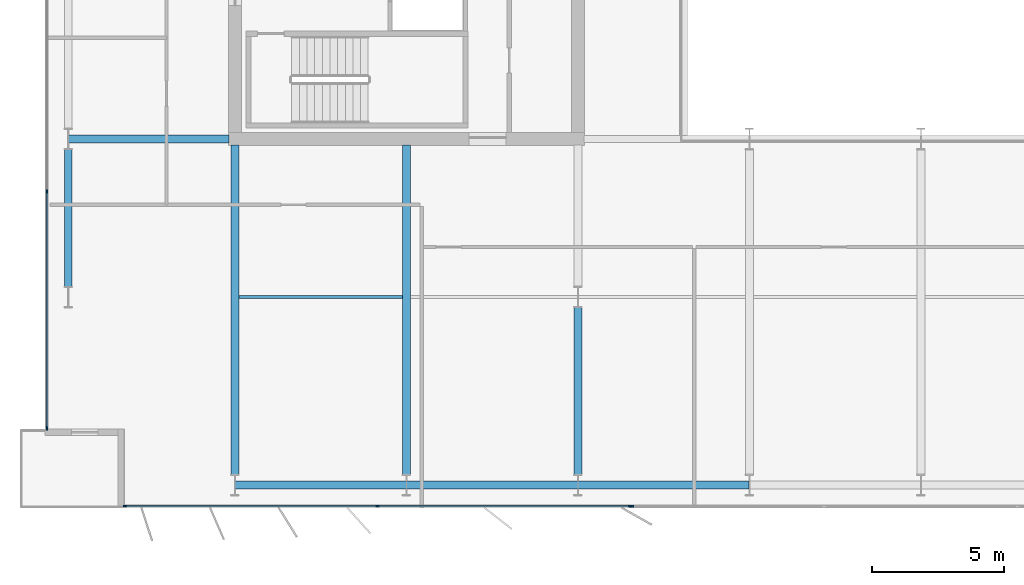
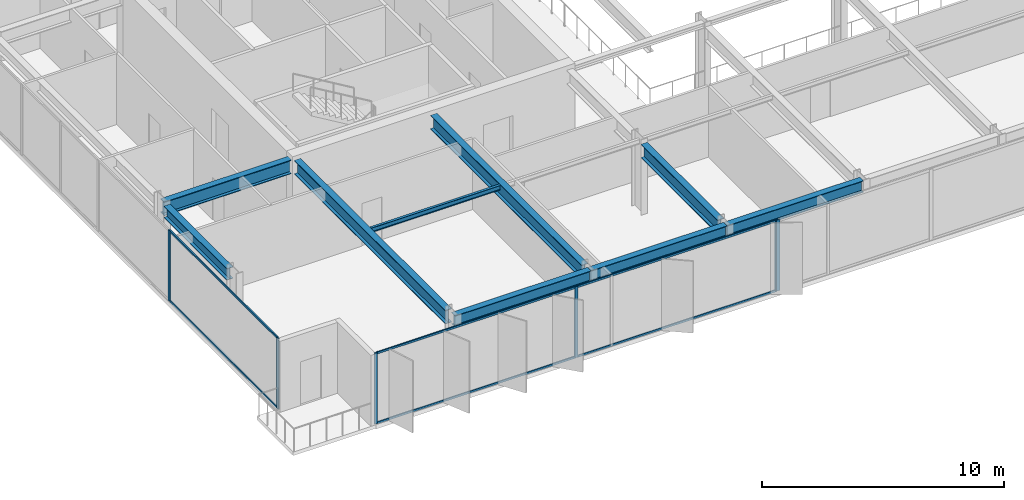
# One storey, part 3 of 23: 12 members, 9 beams, 3 elements without a shape of their own.
"""IFC4 building model written with IfcOpenShell, lengths in metres."""

import ifcopenshell
import ifcopenshell.guid

model = None  # the IFC model being written
_history = None  # IfcOwnerHistory: only IFC2X3 demands one
_inside = {}  # id of a spatial element -> (the spatial element, [elements in it])
_under = {}  # id of a project, library or spatial element -> (it, [spatial elements below it])
_declared = {}  # id of a project -> (the project, [libraries it declares])
_typed = {}  # id of a type object -> (the type object, [elements of that type])
_made_of = {}  # id of a material, layer set ... -> (it, [elements and type objects made of it])


def new_model(schema):
    """Start an empty IFC model of exactly this schema.

    Asked for "IFC4X3", IfcOpenShell would pick the latest addendum, in which some entities
    have other attributes; the version numbers below select the first issue.
    IFC2X3 requires an IfcOwnerHistory on every rooted entity: one is made here for all.
    """
    global model, _history
    if schema == "IFC4X3":
        model = ifcopenshell.file(schema_version=(4, 3, 0, 0))
    else:
        model = ifcopenshell.file(schema=schema)
    _inside.clear()
    _under.clear()
    _declared.clear()
    _typed.clear()
    _made_of.clear()
    _history = None
    if model.schema == "IFC2X3":
        org = make("IfcOrganization", Name="unknown")
        user = make(
            "IfcPersonAndOrganization",
            ThePerson=make("IfcPerson", FamilyName="unknown"),
            TheOrganization=org,
        )
        app = make(
            "IfcApplication",
            ApplicationDeveloper=org,
            Version="unknown",
            ApplicationFullName="unknown",
            ApplicationIdentifier="unknown",
        )
        _history = make(
            "IfcOwnerHistory",
            OwningUser=user,
            OwningApplication=app,
            ChangeAction="ADDED",
            CreationDate=0,
        )
    return model


def make(cls, **values):
    """One entity of the class cls with the attributes given. An attribute that is None is left unset."""
    return model.create_entity(
        cls, **{name: value for name, value in values.items() if value is not None}
    )


def rooted(cls, **values):
    """An entity with a GlobalId (a new one), such as an element, a storey or a relation."""
    return make(cls, GlobalId=ifcopenshell.guid.new(), OwnerHistory=_history, **values)


def si_unit(unit_type, name, prefix=None):
    """IfcSIUnit, for example si_unit("LENGTHUNIT", "METRE", prefix="MILLI")."""
    return make("IfcSIUnit", UnitType=unit_type, Prefix=prefix, Name=name)


def assignment(units):
    """IfcUnitAssignment: the units of a project."""
    return None if units is None else make("IfcUnitAssignment", Units=units)


def point(xyz):
    """IfcCartesianPoint."""
    return None if xyz is None else make("IfcCartesianPoint", Coordinates=xyz)


def direction(xyz):
    """IfcDirection."""
    return None if xyz is None else make("IfcDirection", DirectionRatios=xyz)


def frame(location, z_axis=None, x_axis=None):
    """IfcAxis2Placement3D, a coordinate frame: its origin and axes. An axis left out is left unset."""
    return make(
        "IfcAxis2Placement3D",
        Location=point(location),
        Axis=direction(z_axis),
        RefDirection=direction(x_axis),
    )


def frame_2d(location, x_axis=None):
    """IfcAxis2Placement2D, a coordinate frame in the plane: its origin and x axis."""
    return make(
        "IfcAxis2Placement2D", Location=point(location), RefDirection=direction(x_axis)
    )


def origin():
    """The frame at (0, 0, 0) with its axes left unset."""
    return frame((0.0, 0.0, 0.0))


def origin_2d():
    """The frame at (0, 0) in the plane with its x axis left unset."""
    return frame_2d((0.0, 0.0))


def place(relative_to, where):
    """IfcLocalPlacement: puts the frame where relative to a parent placement (None: the world)."""
    return make(
        "IfcLocalPlacement", PlacementRelTo=relative_to, RelativePlacement=where
    )


def context(
    kind, dimensions, precision=None, world=None, true_north=None, identifier=None
):
    """IfcGeometricRepresentationContext, for example the 3D "Model" context."""
    return make(
        "IfcGeometricRepresentationContext",
        ContextIdentifier=identifier,
        ContextType=kind,
        CoordinateSpaceDimension=dimensions,
        Precision=precision,
        WorldCoordinateSystem=world,
        TrueNorth=true_north,
    )


def subcontext(parent, identifier, kind, view, scale=None):
    """IfcGeometricRepresentationSubContext, for example "Body" below "Model"."""
    return make(
        "IfcGeometricRepresentationSubContext",
        ContextIdentifier=identifier,
        ContextType=kind,
        ParentContext=parent,
        TargetScale=scale,
        TargetView=view,
    )


def project(units=None, contexts=None):
    """IfcProject with its units and contexts."""
    return rooted(
        "IfcProject",
        Name="project",
        RepresentationContexts=contexts,
        UnitsInContext=assignment(units),
    )


def spatial(cls, under=None, at=None, **own):
    """A site, building, storey or space (cls), placed at a placement, below another one or the project."""
    s = rooted(cls, ObjectPlacement=at, **own)
    if under is not None:
        _under.setdefault(under.id(), (under, []))[1].append(s)
    return s


def profile(cls, at=None, kind="AREA", **sizes):
    """A parametric profile (cls). Its sizes go by their IFC names, for example OverallWidth=200.0."""
    return make(cls, ProfileType=kind, Position=at, **sizes)


def rectangle(**sizes):
    """IfcRectangleProfileDef."""
    return profile("IfcRectangleProfileDef", **sizes)


def i_section(**sizes):
    """IfcIShapeProfileDef."""
    return profile("IfcIShapeProfileDef", **sizes)


def extrude(swept, where, along, depth):
    """IfcExtrudedAreaSolid: the profile swept, set in the frame where, extruded along a direction by depth."""
    return make(
        "IfcExtrudedAreaSolid",
        SweptArea=swept,
        Position=where,
        ExtrudedDirection=direction(along),
        Depth=depth,
    )


def shape(context_of_items, identifier, shape_type, items):
    """IfcShapeRepresentation: the items that make up one representation, for example the "Body"."""
    return make(
        "IfcShapeRepresentation",
        ContextOfItems=context_of_items,
        RepresentationIdentifier=identifier,
        RepresentationType=shape_type,
        Items=items,
    )


def material(Name=None, Category=None):
    """IfcMaterial."""
    return make("IfcMaterial", Name=Name, Category=Category)


def layer(
    of_material, thickness, ventilated=None, Name=None, Category=None, Priority=None
):
    """IfcMaterialLayer: one layer of a wall or slab, of a material (None: an air gap)."""
    return make(
        "IfcMaterialLayer",
        Material=of_material,
        LayerThickness=thickness,
        IsVentilated=ventilated,
        Name=Name,
        Category=Category,
        Priority=Priority,
    )


def layer_set(layers, Name=None):
    """IfcMaterialLayerSet."""
    return make("IfcMaterialLayerSet", MaterialLayers=layers, LayerSetName=Name)


def material_profile(
    of_material, cross_section, Name=None, Category=None, Priority=None
):
    """IfcMaterialProfile: a cross section and its material."""
    return make(
        "IfcMaterialProfile",
        Name=Name,
        Material=of_material,
        Profile=cross_section,
        Priority=Priority,
        Category=Category,
    )


def profile_set(profiles, Name=None, composite=None):
    """IfcMaterialProfileSet."""
    return make(
        "IfcMaterialProfileSet",
        Name=Name,
        MaterialProfiles=profiles,
        CompositeProfile=composite,
    )


def made_of(thing, what):
    """Note that an element or type object is made of a material, layer set ...; save() writes the relation."""
    if what is not None:
        _made_of.setdefault(what.id(), (what, []))[1].append(thing)
    return thing


def type_object(cls, material=None, **own):
    """A type object (cls), such as IfcWallType, which elements share."""
    return made_of(rooted(cls, **own), material)


def element(
    cls,
    number,
    at=None,
    inside=None,
    cuts=None,
    type_object=None,
    material=None,
    context=None,
    identifier="Body",
    shape_type=None,
    held_by="IfcProductDefinitionShape",
    body=None,
    shapes=None,
    **own,
):
    """One element of the class cls, such as IfcWall. Its Tag is "e" and its number.

    at: its placement. inside: the storey or other place that contains it. cuts: it is an
    opening in that element (IfcRelVoidsElement). A single representation is given by context,
    identifier, shape_type and body (its items); several are given by shapes. held_by: the class
    of the entity that holds the representations. save() writes the other relations.
    """
    e = rooted(cls, Tag="e%d" % number, ObjectPlacement=at, **own)
    if body is not None:
        shapes = [shape(context, identifier, shape_type, body)]
    if shapes is not None:
        e.Representation = make(held_by, Representations=shapes)
    if inside is not None:
        _inside.setdefault(inside.id(), (inside, []))[1].append(e)
    if cuts is not None:
        rooted(
            "IfcRelVoidsElement", RelatingBuildingElement=cuts, RelatedOpeningElement=e
        )
    if type_object is not None:
        _typed.setdefault(type_object.id(), (type_object, []))[1].append(e)
    return made_of(e, material)


def aggregate(whole, parts):
    """IfcRelAggregates: a whole, such as a stair, and the parts it consists of."""
    return rooted("IfcRelAggregates", RelatingObject=whole, RelatedObjects=parts)


def save(model, path):
    """Write the relations noted so far, then the file.

    IfcRelAggregates (storeys below a building ...), IfcRelContainedInSpatialStructure (elements
    in a storey), IfcRelDefinesByType, IfcRelAssociatesMaterial and IfcRelDeclares: one each for
    every whole, place, type object, material and project.
    """
    for whole, parts in _under.values():
        aggregate(whole, parts)
    for where, things in _inside.values():
        rooted(
            "IfcRelContainedInSpatialStructure",
            RelatedElements=things,
            RelatingStructure=where,
        )
    for kind, things in _typed.values():
        rooted("IfcRelDefinesByType", RelatedObjects=things, RelatingType=kind)
    for what, things in _made_of.values():
        rooted("IfcRelAssociatesMaterial", RelatedObjects=things, RelatingMaterial=what)
    for by, libraries in _declared.values():
        rooted("IfcRelDeclares", RelatingContext=by, RelatedDefinitions=libraries)
    model.write(path)


model = new_model("IFC4")

# Units and contexts
model_context = context("Model", 3, precision=1e-05, world=origin(), true_north=direction((0.0, 1.0)))
body_context = subcontext(model_context, "Body", "Model", "MODEL_VIEW")
ifc_project = project(units=[si_unit("LENGTHUNIT", "METRE"), si_unit("AREAUNIT", "SQUARE_METRE"), si_unit("VOLUMEUNIT", "CUBIC_METRE"), si_unit("PLANEANGLEUNIT", "RADIAN"), si_unit("MASSUNIT", "GRAM", prefix="KILO")], contexts=[model_context])

# Site, building, storey
site_placement = place(None, origin())
site = spatial("IfcSite", under=ifc_project, at=site_placement, CompositionType="ELEMENT")
building_placement = place(site_placement, origin())
building = spatial("IfcBuilding", under=site, at=building_placement, Name="Putna Gate Headquarters", CompositionType="ELEMENT")
storey_placement = place(building_placement, frame((0.0, 0.0, 232.800048828125)))
storey = spatial("IfcBuildingStorey", under=building, at=storey_placement, Name="L58", CompositionType="ELEMENT", Elevation=232.800048828125)

# Beams
ifc_material_1 = material(Name="Steel S355J2", Category="steel")
ifc_material_profile_1 = material_profile(ifc_material_1, i_section(OverallWidth=0.300048828125, OverallDepth=0.699951171875, WebThickness=0.01708984375, FlangeThickness=0.031982421875, at=origin_2d()), Name="Steel S355J2")
ifc_profile_set_1 = profile_set([ifc_material_profile_1], Name="Steel S355J2")
beam_type_1 = type_object("IfcBeamType", Name="BM-GIRD-B-HEB700", PredefinedType="USERDEFINED", material=ifc_profile_set_1)
beam_1_placement = place(storey_placement, frame((6.68603515625, 19.0, 3.22998046875), z_axis=(1.0, 0.0, 0.0), x_axis=(0.0, 1.0, 0.0)))
element("IfcBeam", 1, at=beam_1_placement, inside=storey, type_object=beam_type_1, Name="L58 West Wing Girder Y19", ObjectType="GIRDER", PredefinedType="USERDEFINED", context=body_context, shape_type="SweptSolid", body=[
    extrude(i_section(OverallWidth=0.300048828125, OverallDepth=0.699951171875, WebThickness=0.01708984375, FlangeThickness=0.031982421875, at=origin_2d()), origin(), (0.0, 0.0, 1.0), 6.078857421875),
])
for number, where, z_axis, x_axis, name in (
    (2, (13.0, 6.27490234375, 3.22998046875), (0.0, 1.0, 0.0), (-1.0, 0.0, 0.0), "L58 South Primary Girder X13"),
    (3, (19.5, 6.27490234375, 3.22998046875), (0.0, 1.0, 0.0), (-1.0, 0.0, 0.0), "L58 South Primary Girder X19"),
):
    element("IfcBeam", number, at=place(storey_placement, frame(where, z_axis=z_axis, x_axis=x_axis)), inside=storey, type_object=beam_type_1, Name=name, ObjectType="GIRDER", PredefinedType="USERDEFINED", context=body_context, shape_type="SweptSolid", body=[
        extrude(i_section(OverallWidth=0.300048828125, OverallDepth=0.699951171875, WebThickness=0.01708984375, FlangeThickness=0.031982421875, at=origin_2d()), origin(), (0.0, 0.0, 1.0), 12.489990234375),
    ])
beam_2_placement = place(storey_placement, frame((26.0, 6.27490234375, 3.22998046875), z_axis=(0.0, 1.0, 0.0), x_axis=(-1.0, 0.0, 0.0)))
element("IfcBeam", 4, at=beam_2_placement, inside=storey, type_object=beam_type_1, Name="L58 South Primary Girder X26-1", ObjectType="GIRDER", PredefinedType="USERDEFINED", context=body_context, shape_type="SweptSolid", body=[
    extrude(i_section(OverallWidth=0.300048828125, OverallDepth=0.699951171875, WebThickness=0.01708984375, FlangeThickness=0.031982421875, at=origin_2d()), origin(), (0.0, 0.0, 1.0), 6.330078125),
])
ifc_material_profile_2 = material_profile(ifc_material_1, i_section(OverallWidth=0.1201171875, OverallDepth=0.239990234375, WebThickness=0.006103515625, FlangeThickness=0.009765625, at=origin_2d()), Name="Steel S355J2")
ifc_profile_set_2 = profile_set([ifc_material_profile_2], Name="Steel S355J2")
beam_type_2 = type_object("IfcBeamType", Name="BM-SEC-Z4-IPE240", PredefinedType="JOIST", material=ifc_profile_set_2)
beam_3_placement = place(storey_placement, frame((13.154052734375, 13.0, 3.4599609375), z_axis=(1.0, 0.0, 0.0), x_axis=(0.0, 1.0, 0.0)))
element("IfcBeam", 5, at=beam_3_placement, inside=storey, type_object=beam_type_2, Name="L58 South Secondary Beam 1", PredefinedType="JOIST", context=body_context, shape_type="SweptSolid", body=[
    extrude(i_section(OverallWidth=0.1201171875, OverallDepth=0.239990234375, WebThickness=0.006103515625, FlangeThickness=0.009765625, at=origin_2d()), origin(), (0.0, 0.0, 1.0), 6.19189453125),
])
ifc_material_profile_3 = material_profile(ifc_material_1, i_section(OverallWidth=0.300048828125, OverallDepth=0.590087890625, WebThickness=0.012939453125, FlangeThickness=0.02490234375, at=origin_2d()), Name="Steel S355J2")
ifc_profile_set_3 = profile_set([ifc_material_profile_3], Name="Steel S355J2")
beam_type_3 = type_object("IfcBeamType", Name="BM-SPAN-Z4-HEA600", PredefinedType="SPANDREL", material=ifc_profile_set_3)
for number, where, z_axis, x_axis, name in (
    (6, (13.006103515625, 5.8798828125, 3.284912109375), (1.0, 0.0, 0.0), (0.0, 1.0, 0.0), "L58 S Perimeter Spandrel 1"),
    (7, (19.506103515625, 5.8798828125, 3.284912109375), (1.0, 0.0, 0.0), (0.0, 1.0, 0.0), "L58 S Perimeter Spandrel 2"),
    (8, (26.006103515625, 5.8798828125, 3.284912109375), (1.0, 0.0, 0.0), (0.0, 1.0, 0.0), "L58 S Perimeter Spandrel 3"),
):
    element("IfcBeam", number, at=place(storey_placement, frame(where, z_axis=z_axis, x_axis=x_axis)), inside=storey, type_object=beam_type_3, Name=name, PredefinedType="SPANDREL", context=body_context, shape_type="SweptSolid", body=[
        extrude(i_section(OverallWidth=0.300048828125, OverallDepth=0.590087890625, WebThickness=0.012939453125, FlangeThickness=0.02490234375, at=origin_2d()), origin(), (0.0, 0.0, 1.0), 6.48779296875),
    ])
beam_4_placement = place(storey_placement, frame((6.679931640625, 13.39501953125, 3.284912109375), z_axis=(0.0, 1.0, 0.0), x_axis=(-1.0, 0.0, 0.0)))
element("IfcBeam", 9, at=beam_4_placement, inside=storey, type_object=beam_type_3, Name="L58 W End Spandrel 1", PredefinedType="SPANDREL", context=body_context, shape_type="SweptSolid", body=[
    extrude(i_section(OverallWidth=0.300048828125, OverallDepth=0.590087890625, WebThickness=0.012939453125, FlangeThickness=0.02490234375, at=origin_2d()), origin(), (0.0, 0.0, 1.0), 5.2099609375),
])

# Curtain wall, members
ifc_material_2 = material(Name="Anodised bronze aluminium curtain wall", Category="aluminium")
ifc_layer_1 = layer(ifc_material_2, 0.139892578125)
ifc_layer_set_1 = layer_set([ifc_layer_1], Name="Anodised bronze aluminium curtain wall")
curtain_wall_type_1 = type_object("IfcCurtainWallType", Name="CW-SYS-Z4", PredefinedType="USERDEFINED", material=ifc_layer_set_1)
curtain_wall_1_placement = place(storey_placement, origin())
curtain_wall_1 = element("IfcCurtainWall", 10, at=curtain_wall_1_placement, inside=storey, type_object=curtain_wall_type_1, Name="L58 South West Curtain Wall", ObjectType="STICK CURTAIN WALL", PredefinedType="USERDEFINED")
ifc_material_3 = material(Name="Anodised bronze aluminium EN AW-6060", Category="aluminium")
ifc_material_profile_4 = material_profile(ifc_material_3, rectangle(XDim=0.06005859375, YDim=0.139892578125, at=origin_2d()), Name="Anodised bronze aluminium EN AW-6060")
ifc_profile_set_4 = profile_set([ifc_material_profile_4], Name="Anodised bronze aluminium EN AW-6060")
member_type_1 = type_object("IfcMemberType", Name="MULL-CWM-4", PredefinedType="MULLION", material=ifc_profile_set_4)
member_1_placement = place(storey_placement, frame((8.830078125, 5.080078125, 0.0), z_axis=(0.0, 0.0, 1.0), x_axis=(0.0, 1.0, 0.0)))
member_1 = element("IfcMember", 11, at=member_1_placement, type_object=member_type_1, Name="CWS-4 mullion 1", PredefinedType="MULLION", context=body_context, shape_type="SweptSolid", body=[
    extrude(rectangle(XDim=0.06005859375, YDim=0.139892578125, at=origin_2d()), origin(), (0.0, 0.0, 1.0), 3.579833984375),
])
member_2_placement = place(storey_placement, frame((18.39990234375, 5.080078125, 0.0), z_axis=(0.0, 0.0, 1.0), x_axis=(0.0, 1.0, 0.0)))
member_2 = element("IfcMember", 12, at=member_2_placement, type_object=member_type_1, Name="CWS-4 mullion 2", PredefinedType="MULLION", context=body_context, shape_type="SweptSolid", body=[
    extrude(rectangle(XDim=0.06005859375, YDim=0.139892578125, at=origin_2d()), origin(), (0.0, 0.0, 1.0), 3.579833984375),
])
member_3_placement = place(storey_placement, frame((27.969970703125, 5.080078125, 0.0), z_axis=(0.0, 0.0, 1.0), x_axis=(0.0, 1.0, 0.0)))
member_3 = element("IfcMember", 13, at=member_3_placement, type_object=member_type_1, Name="CWS-4 mullion 3", PredefinedType="MULLION", context=body_context, shape_type="SweptSolid", body=[
    extrude(rectangle(XDim=0.06005859375, YDim=0.139892578125, at=origin_2d()), origin(), (0.0, 0.0, 1.0), 3.579833984375),
])

curtain_wall_2_placement = place(storey_placement, origin())
curtain_wall_2 = element("IfcCurtainWall", 14, at=curtain_wall_2_placement, inside=storey, type_object=curtain_wall_type_1, Name="L58 West Curtain Wall", ObjectType="STICK CURTAIN WALL", PredefinedType="USERDEFINED")
member_4_placement = place(storey_placement, frame((5.8798828125, 8.030029296875, 0.0), z_axis=(0.0, 0.0, 1.0), x_axis=(-1.0, 0.0, 0.0)))
member_4 = element("IfcMember", 15, at=member_4_placement, type_object=member_type_1, Name="CWS-4 mullion 1", PredefinedType="MULLION", context=body_context, shape_type="SweptSolid", body=[
    extrude(rectangle(XDim=0.06005859375, YDim=0.139892578125, at=origin_2d()), origin(), (0.0, 0.0, 1.0), 3.579833984375),
])
member_5_placement = place(storey_placement, frame((5.8798828125, 17.0, 0.0), z_axis=(0.0, 0.0, 1.0), x_axis=(-1.0, 0.0, 0.0)))
member_5 = element("IfcMember", 16, at=member_5_placement, type_object=member_type_1, Name="CWS-4 mullion 2", PredefinedType="MULLION", context=body_context, shape_type="SweptSolid", body=[
    extrude(rectangle(XDim=0.06005859375, YDim=0.139892578125, at=origin_2d()), origin(), (0.0, 0.0, 1.0), 3.579833984375),
])

# Curtain wall, member
ifc_layer_2 = layer(ifc_material_2, 0.179931640625)
ifc_layer_set_2 = layer_set([ifc_layer_2], Name="Anodised bronze aluminium curtain wall")
curtain_wall_type_2 = type_object("IfcCurtainWallType", Name="CW-SYS-ATR", PredefinedType="USERDEFINED", material=ifc_layer_set_2)
curtain_wall_3_placement = place(storey_placement, origin())
curtain_wall_3 = element("IfcCurtainWall", 17, at=curtain_wall_3_placement, inside=storey, type_object=curtain_wall_type_2, Name="L58 South Atrium Clear Glazing", ObjectType="ATRIUM GLAZING", PredefinedType="USERDEFINED")
ifc_material_profile_5 = material_profile(ifc_material_3, rectangle(XDim=0.070068359375, YDim=0.179931640625, at=origin_2d()), Name="Anodised bronze aluminium EN AW-6060")
ifc_profile_set_5 = profile_set([ifc_material_profile_5], Name="Anodised bronze aluminium EN AW-6060")
member_type_2 = type_object("IfcMemberType", Name="MULL-CWM-AT", PredefinedType="MULLION", material=ifc_profile_set_5)
member_6_placement = place(storey_placement, frame((28.034912109375, 5.080078125, 0.0), z_axis=(0.0, 0.0, 1.0), x_axis=(0.0, 1.0, 0.0)))
member_6 = element("IfcMember", 18, at=member_6_placement, type_object=member_type_2, Name="CWS-AT mullion 1", PredefinedType="MULLION", context=body_context, shape_type="SweptSolid", body=[
    extrude(rectangle(XDim=0.070068359375, YDim=0.179931640625, at=origin_2d()), origin(), (0.0, 0.0, 1.0), 3.579833984375),
])
aggregate(curtain_wall_3, [member_6])

# Member
ifc_material_profile_6 = material_profile(ifc_material_3, rectangle(XDim=0.06005859375, YDim=0.10009765625, at=origin_2d()), Name="Anodised bronze aluminium EN AW-6060")
ifc_profile_set_6 = profile_set([ifc_material_profile_6], Name="Anodised bronze aluminium EN AW-6060")
member_type_3 = type_object("IfcMemberType", Name="TRAN-CWT-4", PredefinedType="USERDEFINED", material=ifc_profile_set_6)
member_7_placement = place(storey_placement, frame((8.860107421875, 5.080078125, 0.030029296875), z_axis=(1.0, 0.0, 0.0), x_axis=(0.0, 1.0, 0.0)))
member_7 = element("IfcMember", 19, at=member_7_placement, type_object=member_type_3, Name="CWS-4 transom 1.1", ObjectType="TRANSOM", PredefinedType="USERDEFINED", context=body_context, shape_type="SweptSolid", body=[
    extrude(rectangle(XDim=0.06005859375, YDim=0.10009765625, at=origin_2d()), origin(), (0.0, 0.0, 1.0), 9.510009765625),
])

member_8_placement = place(storey_placement, frame((8.860107421875, 5.080078125, 3.550048828125), z_axis=(1.0, 0.0, 0.0), x_axis=(0.0, 1.0, 0.0)))
member_8 = element("IfcMember", 20, at=member_8_placement, type_object=member_type_3, Name="CWS-4 transom 1.2", ObjectType="TRANSOM", PredefinedType="USERDEFINED", context=body_context, shape_type="SweptSolid", body=[
    extrude(rectangle(XDim=0.06005859375, YDim=0.10009765625, at=origin_2d()), origin(), (0.0, 0.0, 1.0), 9.510009765625),
])

member_9_placement = place(storey_placement, frame((18.429931640625, 5.080078125, 0.030029296875), z_axis=(1.0, 0.0, 0.0), x_axis=(0.0, 1.0, 0.0)))
member_9 = element("IfcMember", 21, at=member_9_placement, type_object=member_type_3, Name="CWS-4 transom 2.1", ObjectType="TRANSOM", PredefinedType="USERDEFINED", context=body_context, shape_type="SweptSolid", body=[
    extrude(rectangle(XDim=0.06005859375, YDim=0.10009765625, at=origin_2d()), origin(), (0.0, 0.0, 1.0), 9.510009765625),
])

member_10_placement = place(storey_placement, frame((18.429931640625, 5.080078125, 3.550048828125), z_axis=(1.0, 0.0, 0.0), x_axis=(0.0, 1.0, 0.0)))
member_10 = element("IfcMember", 22, at=member_10_placement, type_object=member_type_3, Name="CWS-4 transom 2.2", ObjectType="TRANSOM", PredefinedType="USERDEFINED", context=body_context, shape_type="SweptSolid", body=[
    extrude(rectangle(XDim=0.06005859375, YDim=0.10009765625, at=origin_2d()), origin(), (0.0, 0.0, 1.0), 9.510009765625),
])

aggregate(curtain_wall_1, [member_1, member_2, member_3, member_7, member_8, member_9, member_10])

member_11_placement = place(storey_placement, frame((5.8798828125, 8.06005859375, 0.030029296875), z_axis=(0.0, 1.0, 0.0), x_axis=(-1.0, 0.0, 0.0)))
member_11 = element("IfcMember", 23, at=member_11_placement, type_object=member_type_3, Name="CWS-4 transom 1.1", ObjectType="TRANSOM", PredefinedType="USERDEFINED", context=body_context, shape_type="SweptSolid", body=[
    extrude(rectangle(XDim=0.06005859375, YDim=0.10009765625, at=origin_2d()), origin(), (0.0, 0.0, 1.0), 8.909912109375),
])

member_12_placement = place(storey_placement, frame((5.8798828125, 8.06005859375, 3.550048828125), z_axis=(0.0, 1.0, 0.0), x_axis=(-1.0, 0.0, 0.0)))
member_12 = element("IfcMember", 24, at=member_12_placement, type_object=member_type_3, Name="CWS-4 transom 1.2", ObjectType="TRANSOM", PredefinedType="USERDEFINED", context=body_context, shape_type="SweptSolid", body=[
    extrude(rectangle(XDim=0.06005859375, YDim=0.10009765625, at=origin_2d()), origin(), (0.0, 0.0, 1.0), 8.909912109375),
])

aggregate(curtain_wall_2, [member_4, member_5, member_11, member_12])

save(model, "model.ifc")
